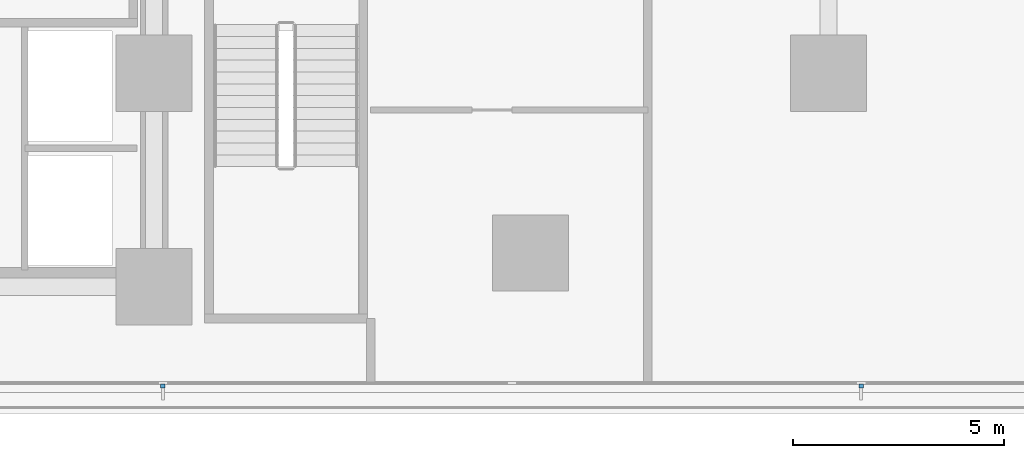
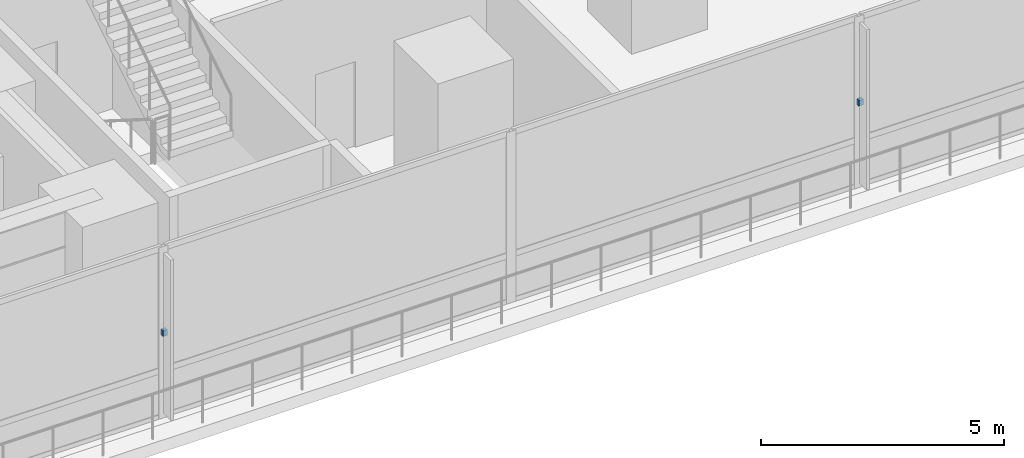
# One storey, part 15 of 24: 2 discrete accessories.
"""IFC4 building model written with IfcOpenShell, lengths in metres."""

from ifc_helpers import new_model, si_unit, direction, frame, origin, place, context, subcontext, project, spatial, polyline, outline, extrude, material, type_object, element, save


model = new_model("IFC4")

# Units and contexts
model_context = context("Model", 3, precision=1e-05, world=origin(), true_north=direction((0.0, 1.0)))
body_context = subcontext(model_context, "Body", "Model", "MODEL_VIEW")
ifc_project = project(units=[si_unit("LENGTHUNIT", "METRE"), si_unit("AREAUNIT", "SQUARE_METRE"), si_unit("VOLUMEUNIT", "CUBIC_METRE"), si_unit("PLANEANGLEUNIT", "RADIAN"), si_unit("MASSUNIT", "GRAM", prefix="KILO")], contexts=[model_context])

# Site, building, storey
site_placement = place(None, origin())
site = spatial("IfcSite", under=ifc_project, at=site_placement, CompositionType="ELEMENT")
building_placement = place(site_placement, origin())
building = spatial("IfcBuilding", under=site, at=building_placement, Name="Qalmaran Belvedere Hotel", CompositionType="ELEMENT")
storey_placement = place(building_placement, frame((0.0, 0.0, 14.60009765625)))
storey = spatial("IfcBuildingStorey", under=building, at=storey_placement, Name="L03", CompositionType="ELEMENT", Elevation=14.60009765625)

# Discrete accessories
ifc_material = material(Name="Stainless Steel 1.4401", Category="steel")
discrete_accessory_type = type_object("IfcDiscreteAccessoryType", Name="BRK-FIN-SS316", PredefinedType="BRACKET", material=ifc_material)
discrete_accessory_1_placement = place(storey_placement, frame((0.0, 0.0, 2.099853515625)))
element("IfcDiscreteAccessory", 1, at=discrete_accessory_1_placement, inside=storey, type_object=discrete_accessory_type, Name="L03 Fin Bracket 5", PredefinedType="BRACKET", context=body_context, shape_type="SweptSolid", body=[
    extrude(outline(polyline([(44.952392578125, 1.205078125), (44.952392578125, 1.107421875), (45.0625, 1.107421875), (45.0625, 1.205078125), (44.952392578125, 1.205078125)])), origin(), (0.0, 0.0, 1.0), 0.14013671875),
])
discrete_accessory_2_placement = place(storey_placement, frame((0.0, 0.0, 2.099853515625)))
element("IfcDiscreteAccessory", 2, at=discrete_accessory_2_placement, inside=storey, type_object=discrete_accessory_type, Name="L03 Fin Bracket 7", PredefinedType="BRACKET", context=body_context, shape_type="SweptSolid", body=[
    extrude(outline(polyline([(61.467529296875, 1.205078125), (61.467529296875, 1.107421875), (61.577392578125, 1.107421875), (61.577392578125, 1.205078125), (61.467529296875, 1.205078125)])), origin(), (0.0, 0.0, 1.0), 0.14013671875),
])

save(model, "model.ifc")
